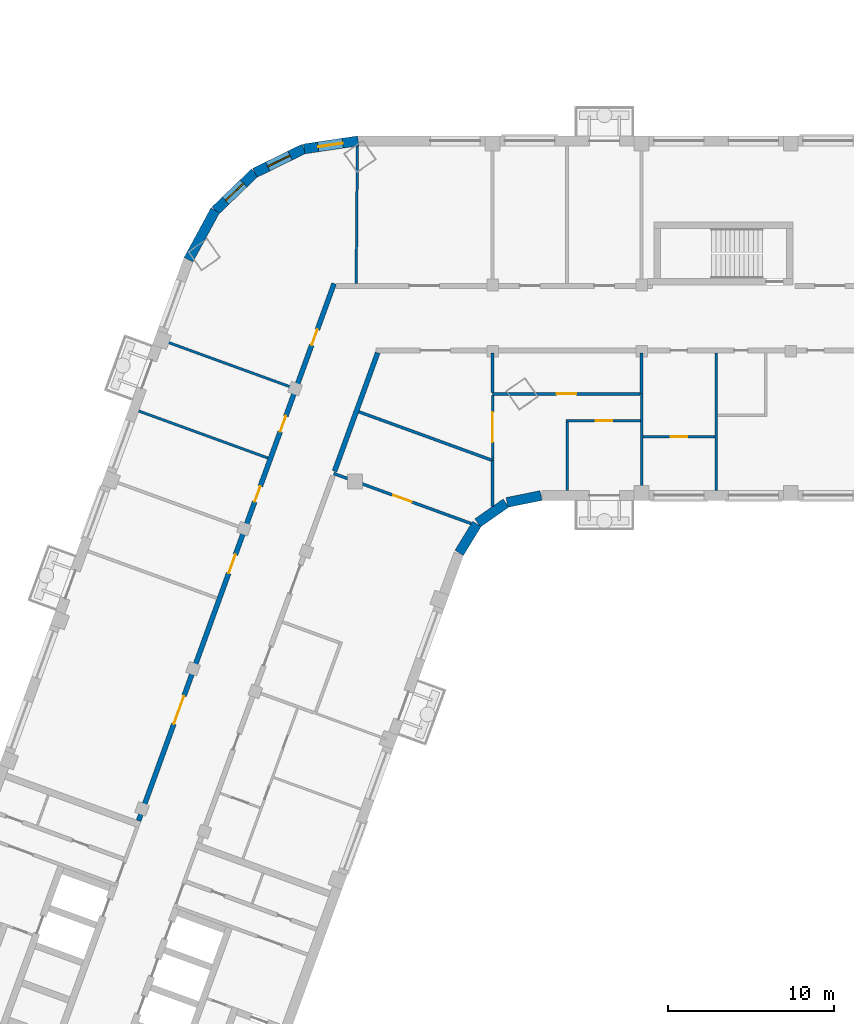
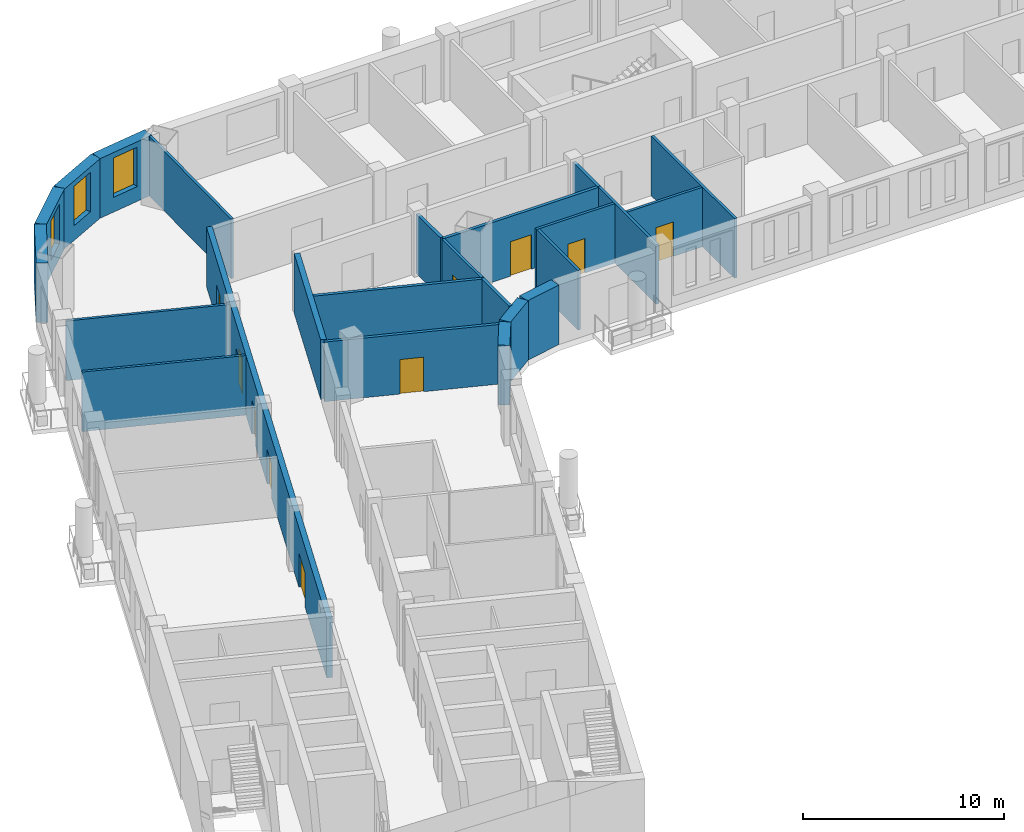
# One storey, part 6 of 18: 24 walls, 10 doors, 3 windows, 13 openings.
"""IFC4 building model written with IfcOpenShell, lengths in metres."""

from ifc_helpers import new_model, si_unit, direction, frame, frame_2d, origin, place, context, subcontext, project, spatial, rectangle, extrude, material, layer, layer_set, type_object, element, fill, save


model = new_model("IFC4")

# Units and contexts
model_context = context("Model", 3, precision=1e-05, world=origin(), true_north=direction((0.0, 1.0)))
body_context = subcontext(model_context, "Body", "Model", "MODEL_VIEW")
ifc_project = project(units=[si_unit("LENGTHUNIT", "METRE"), si_unit("AREAUNIT", "SQUARE_METRE"), si_unit("VOLUMEUNIT", "CUBIC_METRE"), si_unit("PLANEANGLEUNIT", "RADIAN"), si_unit("MASSUNIT", "GRAM", prefix="KILO")], contexts=[model_context])

# Site, building, storey
site_placement = place(None, origin())
site = spatial("IfcSite", under=ifc_project, at=site_placement, CompositionType="ELEMENT")
building_placement = place(site_placement, origin())
building = spatial("IfcBuilding", under=site, at=building_placement, Name="Skarvind Civic Tower", CompositionType="ELEMENT")
storey_placement = place(building_placement, frame((0.0, 0.0, 31.5)))
storey = spatial("IfcBuildingStorey", under=building, at=storey_placement, Name="L06", CompositionType="ELEMENT", Elevation=31.5)

# Wall, opening, door
ifc_material_1 = material(Name="Acoustic gypsum board on steel studs", Category="steel")
ifc_layer_1 = layer(ifc_material_1, 0.175048828125)
ifc_layer_set_1 = layer_set([ifc_layer_1], Name="ACOUSTIC MEETING-ROOM PARTITION 175")
wall_type_1 = type_object("IfcWallType", Name="ACOUSTIC MEETING-ROOM PARTITION 175", PredefinedType="PARTITIONING", material=ifc_layer_set_1)
wall_1_placement = place(storey_placement, frame((52.965087890625, 115.597900390625, 0.0), z_axis=(0.0, 0.0, 1.0), x_axis=(-0.939650555598, 0.342135694374, 0.0)))
wall_1 = element("IfcWall", 1, at=wall_1_placement, inside=storey, type_object=wall_type_1, Name="Partition 06.015", PredefinedType="PARTITIONING", context=body_context, shape_type="SweptSolid", body=[
    extrude(rectangle(XDim=8.836181640625, YDim=0.175048828125, at=frame_2d((4.41796875, 0.0))), origin(), (0.0, 0.0, 1.0), 3.625),
])
opening_1_placement = place(wall_1_placement, frame((3.817626953125, 0.0, 0.0)))
opening_1 = element("IfcOpeningElement", 2, at=opening_1_placement, cuts=wall_1, Name="Opening L06-D031", PredefinedType="OPENING", context=body_context, shape_type="SweptSolid", body=[
    extrude(rectangle(XDim=1.199951171875, YDim=2.10009765625, at=frame_2d((0.60009765625, 1.050048828125))), frame((0.0, 0.097412109375, 0.0), z_axis=(0.0, -1.0, 0.0), x_axis=(1.0, 0.0, 0.0)), (0.0, 0.0, 1.0), 0.195068359375),
])
ifc_material_2 = material(Name="Timber door leaf", Category="wood")
door_type_1 = type_object("IfcDoorType", Name="DOOR 1200X2100 DOUBLE TIMBER", OperationType="NOTDEFINED", PredefinedType="DOOR", material=ifc_material_2)
door_1_placement = place(opening_1_placement, origin())
door_1 = element("IfcDoor", 3, at=door_1_placement, inside=storey, type_object=door_type_1, Name="Door L06-D031", OperationType="DOUBLE_DOOR_SINGLE_SWING", OverallHeight=2.10009765625, OverallWidth=1.199951171875, PredefinedType="DOOR", context=body_context, shape_type="SweptSolid", body=[
    extrude(rectangle(XDim=1.199951171875, YDim=2.10009765625, at=frame_2d((0.60009765625, 1.050048828125))), frame((0.0, 0.02490234375, 0.0), z_axis=(0.0, -1.0, 0.0), x_axis=(1.0, 0.0, 0.0)), (0.0, 0.0, 1.0), 0.050048828125),
])
fill(opening_1, door_1)

# Walls
wall_2_placement = place(storey_placement, frame((54.25, 116.636962890625, 0.0), z_axis=(0.0, 0.0, 1.0), x_axis=(0.0, 1.0, 0.0)))
element("IfcWall", 4, at=wall_2_placement, inside=storey, type_object=wall_type_1, Name="Partition 06.020", PredefinedType="PARTITIONING", context=body_context, shape_type="SweptSolid", body=[
    extrude(rectangle(XDim=2.776123046875, YDim=0.175048828125, at=frame_2d((1.38818359375, 0.0))), origin(), (0.0, 0.0, 1.0), 3.625),
])
wall_3_placement = place(storey_placement, frame((54.320068359375, 119.384033203125, 0.0), z_axis=(0.0, 0.0, 1.0), x_axis=(-0.939632908118, 0.342184157994, 0.0)))
element("IfcWall", 5, at=wall_3_placement, inside=storey, type_object=wall_type_1, Name="Partition 06.021", PredefinedType="PARTITIONING", context=body_context, shape_type="SweptSolid", body=[
    extrude(rectangle(XDim=8.665283203125, YDim=0.175048828125, at=frame_2d((4.33251953125, 0.0))), origin(), (0.0, 0.0, 1.0), 3.625),
])
wall_4_placement = place(storey_placement, frame((54.25, 123.501953125, 0.0), z_axis=(0.0, 0.0, 1.0), x_axis=(0.0, 1.0, 0.0)))
element("IfcWall", 6, at=wall_4_placement, inside=storey, type_object=wall_type_1, Name="Partition 06.022", PredefinedType="PARTITIONING", context=body_context, shape_type="SweptSolid", body=[
    extrude(rectangle(XDim=2.39794921875, YDim=0.175048828125, at=frame_2d((1.198974609375, 0.0))), origin(), (0.0, 0.0, 1.0), 3.625),
])

# Wall, opening, door
wall_5_placement = place(storey_placement, frame((54.25, 123.429931640625, 0.0), z_axis=(0.0, 0.0, 1.0), x_axis=(1.0, 0.0, 0.0)))
wall_5 = element("IfcWall", 7, at=wall_5_placement, inside=storey, type_object=wall_type_1, Name="Partition 06.023", PredefinedType="PARTITIONING", context=body_context, shape_type="SweptSolid", body=[
    extrude(rectangle(XDim=8.912109375, YDim=0.175048828125, at=frame_2d((4.4560546875, 0.0))), origin(), (0.0, 0.0, 1.0), 3.625),
])
opening_2_placement = place(wall_5_placement, frame((3.865966796875, 0.0, 0.0)))
opening_2 = element("IfcOpeningElement", 8, at=opening_2_placement, cuts=wall_5, Name="Opening L06-D030", PredefinedType="OPENING", context=body_context, shape_type="SweptSolid", body=[
    extrude(rectangle(XDim=1.199951171875, YDim=2.10009765625, at=frame_2d((0.60009765625, 1.050048828125))), frame((0.0, 0.097412109375, 0.0), z_axis=(0.0, -1.0, 0.0), x_axis=(1.0, 0.0, 0.0)), (0.0, 0.0, 1.0), 0.195068359375),
])
door_2_placement = place(opening_2_placement, origin())
door_2 = element("IfcDoor", 9, at=door_2_placement, inside=storey, type_object=door_type_1, Name="Door L06-D030", OperationType="DOUBLE_DOOR_SINGLE_SWING", OverallHeight=2.10009765625, OverallWidth=1.199951171875, PredefinedType="DOOR", context=body_context, shape_type="SweptSolid", body=[
    extrude(rectangle(XDim=1.199951171875, YDim=2.10009765625, at=frame_2d((0.60009765625, 1.050048828125))), frame((0.0, 0.02490234375, 0.0), z_axis=(0.0, -1.0, 0.0), x_axis=(1.0, 0.0, 0.0)), (0.0, 0.0, 1.0), 0.050048828125),
])
fill(opening_2, door_2)

# Wall
wall_6_placement = place(storey_placement, frame((63.25, 123.429931640625, 0.0), z_axis=(0.0, 0.0, 1.0), x_axis=(0.0, 1.0, 0.0)))
element("IfcWall", 10, at=wall_6_placement, inside=storey, type_object=wall_type_1, Name="Partition 06.031", PredefinedType="PARTITIONING", context=body_context, shape_type="SweptSolid", body=[
    extrude(rectangle(XDim=2.469970703125, YDim=0.175048828125, at=frame_2d((1.23486328125, 0.0))), origin(), (0.0, 0.0, 1.0), 3.625),
])

# Wall, openings, doors
ifc_material_3 = material(Name="Fire-rated gypsum board on steel studs", Category="steel")
ifc_layer_2 = layer(ifc_material_3, 0.300048828125)
ifc_layer_set_2 = layer_set([ifc_layer_2], Name="CORRIDOR WALL 300")
wall_type_2 = type_object("IfcWallType", Name="CORRIDOR WALL 300", PredefinedType="PARTITIONING", material=ifc_layer_set_2)
wall_7_placement = place(storey_placement, frame((32.881103515625, 97.656982421875, 0.0), z_axis=(0.0, 0.0, 1.0), x_axis=(0.342017360004, 0.939693633828, 0.0)))
wall_7 = element("IfcWall", 11, at=wall_7_placement, inside=storey, type_object=wall_type_2, Name="Partition 06.003", PredefinedType="PARTITIONING", context=body_context, shape_type="SweptSolid", body=[
    extrude(rectangle(XDim=34.515625, YDim=0.300048828125, at=frame_2d((17.2578125, 0.0))), origin(), (0.0, 0.0, 1.0), 3.625),
])
opening_3_placement = place(wall_7_placement, frame((6.22509765625, 0.0, 0.0)))
opening_3 = element("IfcOpeningElement", 12, at=opening_3_placement, cuts=wall_7, Name="Opening L06-D017", PredefinedType="OPENING", context=body_context, shape_type="SweptSolid", body=[
    extrude(rectangle(XDim=1.800048828125, YDim=2.10009765625, at=frame_2d((0.89990234375, 1.050048828125))), frame((0.0, 0.159912109375, 0.0), z_axis=(0.0, -1.0, 0.0), x_axis=(1.0, 0.0, 0.0)), (0.0, 0.0, 1.0), 0.320068359375),
])
opening_4_placement = place(wall_7_placement, frame((15.900146484375, 0.0, 0.0)))
opening_4 = element("IfcOpeningElement", 13, at=opening_4_placement, cuts=wall_7, Name="Opening L06-D018", PredefinedType="OPENING", context=body_context, shape_type="SweptSolid", body=[
    extrude(rectangle(XDim=1.199951171875, YDim=2.10009765625, at=frame_2d((0.60009765625, 1.050048828125))), frame((0.0, 0.159912109375, 0.0), z_axis=(0.0, -1.0, 0.0), x_axis=(1.0, 0.0, 0.0)), (0.0, 0.0, 1.0), 0.320068359375),
])
opening_5_placement = place(wall_7_placement, frame((20.5, 0.0, 0.0)))
opening_5 = element("IfcOpeningElement", 14, at=opening_5_placement, cuts=wall_7, Name="Opening L06-D019", PredefinedType="OPENING", context=body_context, shape_type="SweptSolid", body=[
    extrude(rectangle(XDim=1.0, YDim=2.10009765625, at=frame_2d((0.5, 1.050048828125))), frame((0.0, 0.159912109375, 0.0), z_axis=(0.0, -1.0, 0.0), x_axis=(1.0, 0.0, 0.0)), (0.0, 0.0, 1.0), 0.320068359375),
])
opening_6_placement = place(wall_7_placement, frame((25.000244140625, 0.0, 0.0)))
opening_6 = element("IfcOpeningElement", 15, at=opening_6_placement, cuts=wall_7, Name="Opening L06-D020", PredefinedType="OPENING", context=body_context, shape_type="SweptSolid", body=[
    extrude(rectangle(XDim=1.0, YDim=2.10009765625, at=frame_2d((0.5, 1.050048828125))), frame((0.0, 0.159912109375, 0.0), z_axis=(0.0, -1.0, 0.0), x_axis=(1.0, 0.0, 0.0)), (0.0, 0.0, 1.0), 0.320068359375),
])
opening_7_placement = place(wall_7_placement, frame((30.5615234375, 0.0, 0.0)))
opening_7 = element("IfcOpeningElement", 16, at=opening_7_placement, cuts=wall_7, Name="Opening L06-D027", PredefinedType="OPENING", context=body_context, shape_type="SweptSolid", body=[
    extrude(rectangle(XDim=1.0, YDim=2.10009765625, at=frame_2d((0.5, 1.050048828125))), frame((0.0, 0.159912109375, 0.0), z_axis=(0.0, -1.0, 0.0), x_axis=(1.0, 0.0, 0.0)), (0.0, 0.0, 1.0), 0.320068359375),
])
ifc_material_4 = material(Name="Fire-rated timber door leaf", Category="wood")
door_type_2 = type_object("IfcDoorType", Name="FD1 1000x2100", OperationType="NOTDEFINED", PredefinedType="DOOR", material=ifc_material_4)
door_3_placement = place(opening_5_placement, origin())
door_3 = element("IfcDoor", 17, at=door_3_placement, inside=storey, type_object=door_type_2, Name="Door L06-D019", OperationType="SINGLE_SWING_LEFT", OverallHeight=2.10009765625, OverallWidth=1.0, PredefinedType="DOOR", context=body_context, shape_type="SweptSolid", body=[
    extrude(rectangle(XDim=1.0, YDim=2.10009765625, at=frame_2d((0.5, 1.050048828125))), frame((0.0, 0.02490234375, 0.0), z_axis=(0.0, -1.0, 0.0), x_axis=(1.0, 0.0, 0.0)), (0.0, 0.0, 1.0), 0.050048828125),
])
fill(opening_5, door_3)
door_4_placement = place(opening_6_placement, origin())
door_4 = element("IfcDoor", 18, at=door_4_placement, inside=storey, type_object=door_type_2, Name="Door L06-D020", OperationType="SINGLE_SWING_RIGHT", OverallHeight=2.10009765625, OverallWidth=1.0, PredefinedType="DOOR", context=body_context, shape_type="SweptSolid", body=[
    extrude(rectangle(XDim=1.0, YDim=2.10009765625, at=frame_2d((0.5, 1.050048828125))), frame((0.0, 0.02490234375, 0.0), z_axis=(0.0, -1.0, 0.0), x_axis=(1.0, 0.0, 0.0)), (0.0, 0.0, 1.0), 0.050048828125),
])
fill(opening_6, door_4)
door_5_placement = place(opening_7_placement, origin())
door_5 = element("IfcDoor", 19, at=door_5_placement, inside=storey, type_object=door_type_2, Name="Door L06-D027", OperationType="SINGLE_SWING_LEFT", OverallHeight=2.10009765625, OverallWidth=1.0, PredefinedType="DOOR", context=body_context, shape_type="SweptSolid", body=[
    extrude(rectangle(XDim=1.0, YDim=2.10009765625, at=frame_2d((0.5, 1.050048828125))), frame((0.0, 0.02490234375, 0.0), z_axis=(0.0, -1.0, 0.0), x_axis=(1.0, 0.0, 0.0)), (0.0, 0.0, 1.0), 0.050048828125),
])
fill(opening_7, door_5)
door_type_3 = type_object("IfcDoorType", Name="FD4 1800x2100", OperationType="NOTDEFINED", PredefinedType="DOOR", material=ifc_material_4)
door_6_placement = place(opening_3_placement, origin())
door_6 = element("IfcDoor", 20, at=door_6_placement, inside=storey, type_object=door_type_3, Name="Door L06-D017", OperationType="DOUBLE_DOOR_SINGLE_SWING", OverallHeight=2.10009765625, OverallWidth=1.800048828125, PredefinedType="DOOR", context=body_context, shape_type="SweptSolid", body=[
    extrude(rectangle(XDim=1.800048828125, YDim=2.10009765625, at=frame_2d((0.89990234375, 1.050048828125))), frame((0.0, 0.02490234375, 0.0), z_axis=(0.0, -1.0, 0.0), x_axis=(1.0, 0.0, 0.0)), (0.0, 0.0, 1.0), 0.050048828125),
])
fill(opening_3, door_6)
door_type_4 = type_object("IfcDoorType", Name="FD6 1200x2100 DOUBLE", OperationType="NOTDEFINED", PredefinedType="DOOR", material=ifc_material_4)
door_7_placement = place(opening_4_placement, origin())
door_7 = element("IfcDoor", 21, at=door_7_placement, inside=storey, type_object=door_type_4, Name="Door L06-D018", OperationType="DOUBLE_DOOR_SINGLE_SWING", OverallHeight=2.10009765625, OverallWidth=1.199951171875, PredefinedType="DOOR", context=body_context, shape_type="SweptSolid", body=[
    extrude(rectangle(XDim=1.199951171875, YDim=2.10009765625, at=frame_2d((0.60009765625, 1.050048828125))), frame((0.0, 0.02490234375, 0.0), z_axis=(0.0, -1.0, 0.0), x_axis=(1.0, 0.0, 0.0)), (0.0, 0.0, 1.0), 0.050048828125),
])
fill(opening_4, door_7)

# Walls
wall_8_placement = place(storey_placement, frame((47.31396484375, 125.908935546875, 0.0), z_axis=(0.0, 0.0, 1.0), x_axis=(-0.34198522802, -0.939705328183, 0.0)))
element("IfcWall", 22, at=wall_8_placement, inside=storey, type_object=wall_type_2, Name="Partition 06.019", PredefinedType="PARTITIONING", context=body_context, shape_type="SweptSolid", body=[
    extrude(rectangle(XDim=7.608642578125, YDim=0.300048828125, at=frame_2d((3.80419921875, 0.0))), origin(), (0.0, 0.0, 1.0), 3.625),
])
ifc_material_5 = material(Name="Plasterboard partition on steel studs", Category="steel")
ifc_layer_3 = layer(ifc_material_5, 0.14990234375)
ifc_layer_set_3 = layer_set([ifc_layer_3], Name="PARTITION 150")
wall_type_3 = type_object("IfcWallType", Name="PARTITION 150", PredefinedType="PARTITIONING", material=ifc_layer_set_3)
wall_9_placement = place(storey_placement, frame((32.89208984375, 122.39501953125, 0.0), z_axis=(0.0, 0.0, 1.0), x_axis=(0.939684311623, -0.3420429717, 0.0)))
element("IfcWall", 23, at=wall_9_placement, inside=storey, type_object=wall_type_3, Name="Partition 06.004", PredefinedType="PARTITIONING", context=body_context, shape_type="SweptSolid", body=[
    extrude(rectangle(XDim=8.300537109375, YDim=0.14990234375, at=frame_2d((4.150390625, 0.0))), origin(), (0.0, 0.0, 1.0), 3.625),
])
wall_10_placement = place(storey_placement, frame((42.23095703125, 123.784912109375, 0.0), z_axis=(0.0, 0.0, 1.0), x_axis=(-0.939687752599, 0.342033518263, 0.0)))
element("IfcWall", 24, at=wall_10_placement, inside=storey, type_object=wall_type_3, Name="Partition 06.011", PredefinedType="PARTITIONING", context=body_context, shape_type="SweptSolid", body=[
    extrude(rectangle(XDim=8.30078125, YDim=0.14990234375, at=frame_2d((4.150390625, 0.0))), origin(), (0.0, 0.0, 1.0), 3.625),
])
wall_11_placement = place(storey_placement, frame((46.090087890625, 138.39306640625, 0.0), z_axis=(0.0, 0.0, 1.0), x_axis=(-0.008684316879, -0.999962290609, 0.0)))
element("IfcWall", 25, at=wall_11_placement, inside=storey, type_object=wall_type_3, Name="Partition 06.018", PredefinedType="PARTITIONING", context=body_context, shape_type="SweptSolid", body=[
    extrude(rectangle(XDim=8.293212890625, YDim=0.14990234375, at=frame_2d((4.146484375, 0.0))), origin(), (0.0, 0.0, 1.0), 3.625),
])

# Wall, opening, door
wall_12_placement = place(storey_placement, frame((54.25, 119.498046875, 0.0), z_axis=(0.0, 0.0, 1.0), x_axis=(0.0, 1.0, 0.0)))
wall_12 = element("IfcWall", 26, at=wall_12_placement, inside=storey, type_object=wall_type_3, Name="Partition 06.024", PredefinedType="PARTITIONING", context=body_context, shape_type="SweptSolid", body=[
    extrude(rectangle(XDim=3.847900390625, YDim=0.14990234375, at=frame_2d((1.923828125, 0.0))), origin(), (0.0, 0.0, 1.0), 3.625),
])
opening_8_placement = place(wall_12_placement, frame((1.02392578125, 0.0, 0.0)))
opening_8 = element("IfcOpeningElement", 27, at=opening_8_placement, cuts=wall_12, Name="Opening L06-D016", PredefinedType="OPENING", context=body_context, shape_type="SweptSolid", body=[
    extrude(rectangle(XDim=1.800048828125, YDim=2.10009765625, at=frame_2d((0.89990234375, 1.050048828125))), frame((0.0, 0.0849609375, 0.0), z_axis=(0.0, -1.0, 0.0), x_axis=(1.0, 0.0, 0.0)), (0.0, 0.0, 1.0), 0.169921875),
])
door_type_5 = type_object("IfcDoorType", Name="D4 1800x2100", OperationType="NOTDEFINED", PredefinedType="DOOR", material=ifc_material_2)
door_8_placement = place(opening_8_placement, origin())
door_8 = element("IfcDoor", 28, at=door_8_placement, inside=storey, type_object=door_type_5, Name="Door L06-D016", OperationType="DOUBLE_DOOR_SINGLE_SWING", OverallHeight=2.10009765625, OverallWidth=1.800048828125, PredefinedType="DOOR", context=body_context, shape_type="SweptSolid", body=[
    extrude(rectangle(XDim=1.800048828125, YDim=2.10009765625, at=frame_2d((0.89990234375, 1.050048828125))), frame((0.0, 0.02490234375, 0.0), z_axis=(0.0, -1.0, 0.0), x_axis=(1.0, 0.0, 0.0)), (0.0, 0.0, 1.0), 0.050048828125),
])
fill(opening_8, door_8)

# Walls
wall_13_placement = place(storey_placement, frame((58.75, 117.60009765625, 0.0), z_axis=(0.0, 0.0, 1.0), x_axis=(0.0, 1.0, 0.0)))
element("IfcWall", 29, at=wall_13_placement, inside=storey, type_object=wall_type_3, Name="Partition 06.026", PredefinedType="PARTITIONING", context=body_context, shape_type="SweptSolid", body=[
    extrude(rectangle(XDim=4.125, YDim=0.14990234375, at=frame_2d((2.0625, 0.0))), origin(), (0.0, 0.0, 1.0), 3.625),
])
wall_14_placement = place(storey_placement, frame((63.25, 117.60009765625, 0.0), z_axis=(0.0, 0.0, 1.0), x_axis=(0.0, 1.0, 0.0)))
element("IfcWall", 30, at=wall_14_placement, inside=storey, type_object=wall_type_3, Name="Partition 06.028", PredefinedType="PARTITIONING", context=body_context, shape_type="SweptSolid", body=[
    extrude(rectangle(XDim=5.829833984375, YDim=0.14990234375, at=frame_2d((2.9150390625, 0.0))), origin(), (0.0, 0.0, 1.0), 3.625),
])

# Wall, opening, door
wall_15_placement = place(storey_placement, frame((63.324951171875, 120.85009765625, 0.0), z_axis=(0.0, 0.0, 1.0), x_axis=(1.0, 0.0, 0.0)))
wall_15 = element("IfcWall", 31, at=wall_15_placement, inside=storey, type_object=wall_type_3, Name="Partition 06.029", PredefinedType="PARTITIONING", context=body_context, shape_type="SweptSolid", body=[
    extrude(rectangle(XDim=4.35009765625, YDim=0.14990234375, at=frame_2d((2.175048828125, 0.0))), origin(), (0.0, 0.0, 1.0), 3.625),
])
opening_9_placement = place(wall_15_placement, frame((1.675048828125, 0.0, 0.0)))
opening_9 = element("IfcOpeningElement", 32, at=opening_9_placement, cuts=wall_15, Name="Opening L06-D015", PredefinedType="OPENING", context=body_context, shape_type="SweptSolid", body=[
    extrude(rectangle(XDim=1.0, YDim=2.10009765625, at=frame_2d((0.5, 1.050048828125))), frame((0.0, 0.0849609375, 0.0), z_axis=(0.0, -1.0, 0.0), x_axis=(1.0, 0.0, 0.0)), (0.0, 0.0, 1.0), 0.169921875),
])
door_type_6 = type_object("IfcDoorType", Name="D1 1000x2100", OperationType="NOTDEFINED", PredefinedType="DOOR", material=ifc_material_2)
door_9_placement = place(opening_9_placement, origin())
door_9 = element("IfcDoor", 33, at=door_9_placement, inside=storey, type_object=door_type_6, Name="Door L06-D015", OperationType="SINGLE_SWING_LEFT", OverallHeight=2.10009765625, OverallWidth=1.0, PredefinedType="DOOR", context=body_context, shape_type="SweptSolid", body=[
    extrude(rectangle(XDim=1.0, YDim=2.10009765625, at=frame_2d((0.5, 1.050048828125))), frame((0.0, 0.02490234375, 0.0), z_axis=(0.0, -1.0, 0.0), x_axis=(1.0, 0.0, 0.0)), (0.0, 0.0, 1.0), 0.050048828125),
])
fill(opening_9, door_9)

wall_16_placement = place(storey_placement, frame((58.675048828125, 121.800048828125, 0.0), z_axis=(0.0, 0.0, 1.0), x_axis=(1.0, 0.0, 0.0)))
wall_16 = element("IfcWall", 34, at=wall_16_placement, inside=storey, type_object=wall_type_3, Name="Partition 06.030", PredefinedType="PARTITIONING", context=body_context, shape_type="SweptSolid", body=[
    extrude(rectangle(XDim=4.5, YDim=0.14990234375, at=frame_2d((2.25, 0.0))), origin(), (0.0, 0.0, 1.0), 3.625),
])
opening_10_placement = place(wall_16_placement, frame((1.797607421875, 0.0, 0.0)))
opening_10 = element("IfcOpeningElement", 35, at=opening_10_placement, cuts=wall_16, Name="Opening L06-D014", PredefinedType="OPENING", context=body_context, shape_type="SweptSolid", body=[
    extrude(rectangle(XDim=1.0, YDim=2.10009765625, at=frame_2d((0.5, 1.050048828125))), frame((0.0, 0.0849609375, 0.0), z_axis=(0.0, -1.0, 0.0), x_axis=(1.0, 0.0, 0.0)), (0.0, 0.0, 1.0), 0.169921875),
])
door_10_placement = place(opening_10_placement, origin())
door_10 = element("IfcDoor", 36, at=door_10_placement, inside=storey, type_object=door_type_6, Name="Door L06-D014", OperationType="SINGLE_SWING_LEFT", OverallHeight=2.10009765625, OverallWidth=1.0, PredefinedType="DOOR", context=body_context, shape_type="SweptSolid", body=[
    extrude(rectangle(XDim=1.0, YDim=2.10009765625, at=frame_2d((0.5, 1.050048828125))), frame((0.0, 0.02490234375, 0.0), z_axis=(0.0, -1.0, 0.0), x_axis=(1.0, 0.0, 0.0)), (0.0, 0.0, 1.0), 0.050048828125),
])
fill(opening_10, door_10)

# Walls
wall_17_placement = place(storey_placement, frame((67.75, 117.60009765625, 0.0), z_axis=(0.0, 0.0, 1.0), x_axis=(0.0, 1.0, 0.0)))
element("IfcWall", 37, at=wall_17_placement, inside=storey, type_object=wall_type_3, Name="Partition 06.033", PredefinedType="PARTITIONING", context=body_context, shape_type="SweptSolid", body=[
    extrude(rectangle(XDim=8.2998046875, YDim=0.14990234375, at=frame_2d((4.14990234375, 0.0))), origin(), (0.0, 0.0, 1.0), 3.625),
])
ifc_material_6 = material(Name="Limestone masonry cladding on insulated backing", Category="masonry")
ifc_layer_4 = layer(ifc_material_6, 0.60009765625)
ifc_layer_set_4 = layer_set([ifc_layer_4], Name="WX1 STONE FACADE WALL 600")
wall_type_4 = type_object("IfcWallType", Name="WX1 STONE FACADE WALL 600", PredefinedType="SOLIDWALL", material=ifc_layer_set_4)
wall_18_placement = place(storey_placement, frame((53.30517578125, 115.578369140625, 0.0), z_axis=(0.0, 0.0, 1.0), x_axis=(-0.522402266438, -0.852699168535, 0.0)))
element("IfcWall", 38, at=wall_18_placement, inside=storey, type_object=wall_type_4, Name="STONE FACADE WALL", PredefinedType="SOLIDWALL", context=body_context, shape_type="SweptSolid", body=[
    extrude(rectangle(XDim=2.042236328125, YDim=0.60009765625, at=frame_2d((1.02099609375, 0.0))), origin(), (0.0, 0.0, 1.0), 3.625),
])
for number, where, z_axis, x_axis, name in (
    (39, (55.061767578125, 116.8388671875, 0.0), (0.0, 0.0, 1.0), (-0.819122269495, -0.573618956815, 0.0), "STONE FACADE WALL"),
    (40, (57.17529296875, 117.2939453125, 0.0), (0.0, 0.0, 1.0), (-0.97996099083, -0.19918949885, 0.0), "STONE FACADE WALL"),
):
    element("IfcWall", number, at=place(storey_placement, frame(where, z_axis=z_axis, x_axis=x_axis)), inside=storey, type_object=wall_type_4, Name=name, PredefinedType="SOLIDWALL", context=body_context, shape_type="SweptSolid", body=[
        extrude(rectangle(XDim=2.09228515625, YDim=0.60009765625, at=frame_2d((1.046142578125, 0.0))), origin(), (0.0, 0.0, 1.0), 3.625),
    ])

# Wall, opening, window
wall_19_placement = place(storey_placement, frame((42.872802734375, 138.21728515625, 0.0), z_axis=(0.0, 0.0, 1.0), x_axis=(0.989110792192, 0.14717282619, 0.0)))
wall_19 = element("IfcWall", 41, at=wall_19_placement, inside=storey, type_object=wall_type_4, Name="STONE FACADE WALL", PredefinedType="SOLIDWALL", context=body_context, shape_type="SweptSolid", body=[
    extrude(rectangle(XDim=3.302734375, YDim=0.60009765625, at=frame_2d((1.6513671875, 0.0))), origin(), (0.0, 0.0, 1.0), 3.625),
])
opening_11_placement = place(wall_19_placement, frame((0.8564453125, 0.0, 0.89990234375)))
opening_11 = element("IfcOpeningElement", 42, at=opening_11_placement, cuts=wall_19, Name="Opening WN8", PredefinedType="OPENING", context=body_context, shape_type="SweptSolid", body=[
    extrude(rectangle(XDim=1.5, YDim=2.39990234375, at=frame_2d((0.75, 1.199951171875))), frame((0.0, 0.31005859375, 0.0), z_axis=(0.0, -1.0, 0.0), x_axis=(1.0, 0.0, 0.0)), (0.0, 0.0, 1.0), 0.6201171875),
])
ifc_material_7 = material(Name="Timber frame, double glazing, timber-lined reveal", Category="wood")
window_type = type_object("IfcWindowType", Name="WN8 ARC BAY WINDOW 1500 x 2400", PartitioningType="SINGLE_PANEL", PredefinedType="WINDOW", material=ifc_material_7)
window_1_placement = place(opening_11_placement, origin())
window_1 = element("IfcWindow", 43, at=window_1_placement, inside=storey, type_object=window_type, Name="WN8 WINDOW", OverallHeight=2.39990234375, OverallWidth=1.5, PartitioningType="SINGLE_PANEL", PredefinedType="WINDOW", context=body_context, shape_type="SweptSolid", body=[
    extrude(rectangle(XDim=1.5, YDim=2.39990234375, at=frame_2d((0.75, 1.199951171875))), frame((0.0, 0.030029296875, 0.0), z_axis=(0.0, -1.0, 0.0), x_axis=(1.0, 0.0, 0.0)), (0.0, 0.0, 1.0), 0.06005859375),
])
fill(opening_11, window_1)

wall_20_placement = place(storey_placement, frame((39.9072265625, 136.77587890625, 0.0), z_axis=(0.0, 0.0, 1.0), x_axis=(0.89761231107, 0.440785819889, 0.0)))
wall_20 = element("IfcWall", 44, at=wall_20_placement, inside=storey, type_object=wall_type_4, Name="STONE FACADE WALL", PredefinedType="SOLIDWALL", context=body_context, shape_type="SweptSolid", body=[
    extrude(rectangle(XDim=3.302734375, YDim=0.60009765625, at=frame_2d((1.6513671875, 0.0))), origin(), (0.0, 0.0, 1.0), 3.625),
])
opening_12_placement = place(wall_20_placement, frame((0.8564453125, 0.0, 0.89990234375)))
opening_12 = element("IfcOpeningElement", 45, at=opening_12_placement, cuts=wall_20, Name="Opening WN8", PredefinedType="OPENING", context=body_context, shape_type="SweptSolid", body=[
    extrude(rectangle(XDim=1.5, YDim=2.39990234375, at=frame_2d((0.75, 1.199951171875))), frame((0.0, 0.31005859375, 0.0), z_axis=(0.0, -1.0, 0.0), x_axis=(1.0, 0.0, 0.0)), (0.0, 0.0, 1.0), 0.6201171875),
])
window_2_placement = place(opening_12_placement, origin())
window_2 = element("IfcWindow", 46, at=window_2_placement, inside=storey, type_object=window_type, Name="WN8 WINDOW", OverallHeight=2.39990234375, OverallWidth=1.5, PartitioningType="SINGLE_PANEL", PredefinedType="WINDOW", context=body_context, shape_type="SweptSolid", body=[
    extrude(rectangle(XDim=1.5, YDim=2.39990234375, at=frame_2d((0.75, 1.199951171875))), frame((0.0, 0.030029296875, 0.0), z_axis=(0.0, -1.0, 0.0), x_axis=(1.0, 0.0, 0.0)), (0.0, 0.0, 1.0), 0.06005859375),
])
fill(opening_12, window_2)

wall_21_placement = place(storey_placement, frame((37.520263671875, 134.501220703125, 0.0), z_axis=(0.0, 0.0, 1.0), x_axis=(0.72115684486, 0.692771827596, 0.0)))
wall_21 = element("IfcWall", 47, at=wall_21_placement, inside=storey, type_object=wall_type_4, Name="STONE FACADE WALL", PredefinedType="SOLIDWALL", context=body_context, shape_type="SweptSolid", body=[
    extrude(rectangle(XDim=3.302734375, YDim=0.60009765625, at=frame_2d((1.6513671875, 0.0))), origin(), (0.0, 0.0, 1.0), 3.625),
])
opening_13_placement = place(wall_21_placement, frame((0.8564453125, 0.0, 0.89990234375)))
opening_13 = element("IfcOpeningElement", 48, at=opening_13_placement, cuts=wall_21, Name="Opening WN8", PredefinedType="OPENING", context=body_context, shape_type="SweptSolid", body=[
    extrude(rectangle(XDim=1.5, YDim=2.39990234375, at=frame_2d((0.75, 1.199951171875))), frame((0.0, 0.31005859375, 0.0), z_axis=(0.0, -1.0, 0.0), x_axis=(1.0, 0.0, 0.0)), (0.0, 0.0, 1.0), 0.6201171875),
])
window_3_placement = place(opening_13_placement, origin())
window_3 = element("IfcWindow", 49, at=window_3_placement, inside=storey, type_object=window_type, Name="WN8 WINDOW", OverallHeight=2.39990234375, OverallWidth=1.5, PartitioningType="SINGLE_PANEL", PredefinedType="WINDOW", context=body_context, shape_type="SweptSolid", body=[
    extrude(rectangle(XDim=1.5, YDim=2.39990234375, at=frame_2d((0.75, 1.199951171875))), frame((0.0, 0.030029296875, 0.0), z_axis=(0.0, -1.0, 0.0), x_axis=(1.0, 0.0, 0.0)), (0.0, 0.0, 1.0), 0.06005859375),
])
fill(opening_13, window_3)

# Wall
wall_22_placement = place(storey_placement, frame((35.89453125, 131.529541015625, 0.0), z_axis=(0.0, 0.0, 1.0), x_axis=(0.476531180538, 0.879157570618, 0.0)))
element("IfcWall", 50, at=wall_22_placement, inside=storey, type_object=wall_type_4, Name="STONE FACADE WALL", PredefinedType="SOLIDWALL", context=body_context, shape_type="SweptSolid", body=[
    extrude(rectangle(XDim=3.392578125, YDim=0.60009765625, at=frame_2d((1.6962890625, 0.0))), origin(), (0.0, 0.0, 1.0), 3.625),
])

save(model, "model.ifc")
